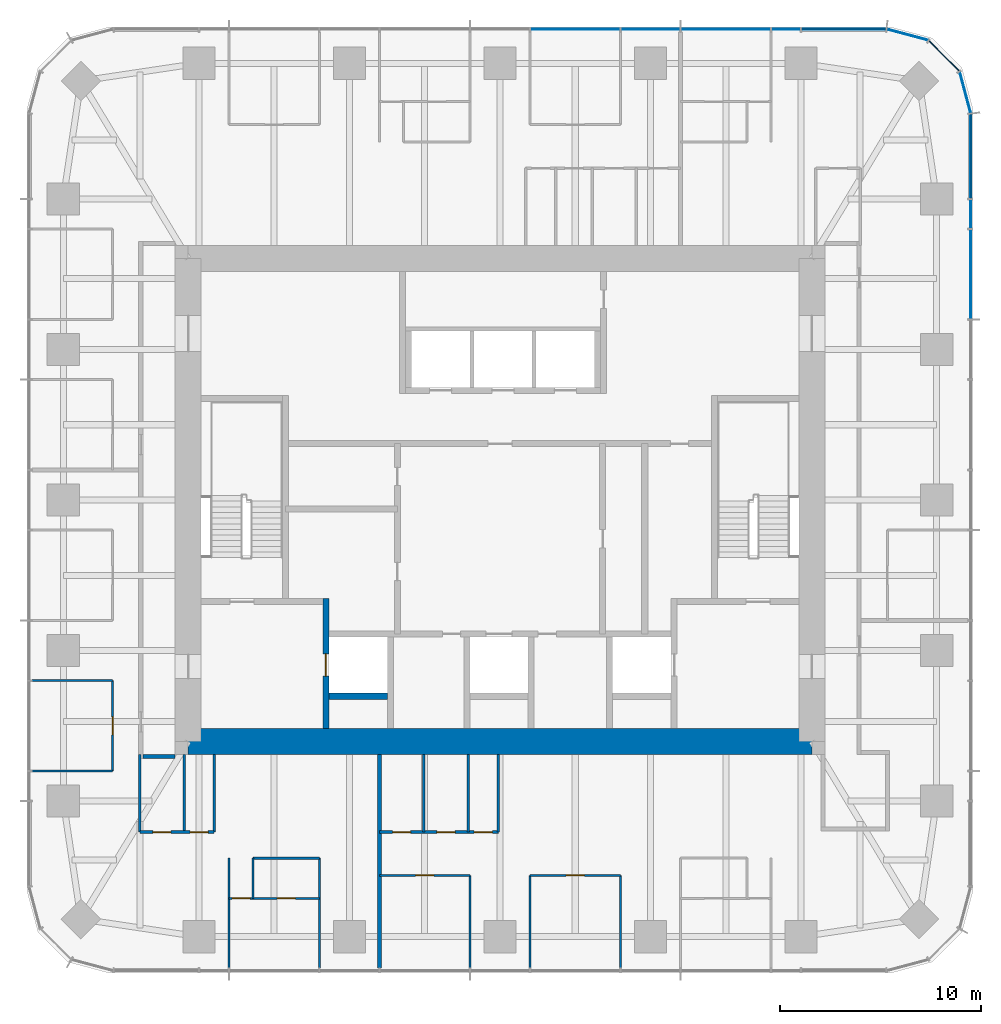
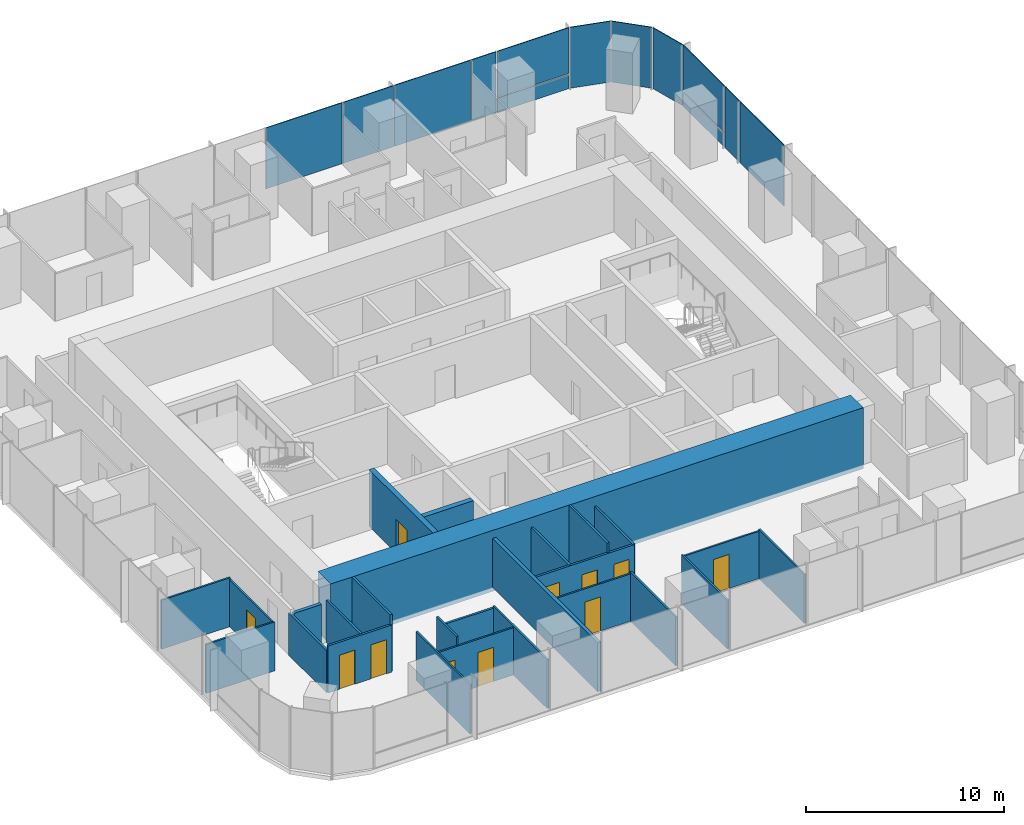
# One storey, part 8 of 12: 26 walls, 13 plates, 11 doors, 11 openings, 3 elements without a shape of their own.
"""IFC4 building model written with IfcOpenShell, lengths in metres."""

from ifc_helpers import new_model, si_unit, direction, frame, frame_2d, origin, origin_2d, place, context, subcontext, project, spatial, rectangle, extrude, material, layer, layer_set, type_object, element, fill, aggregate, save


model = new_model("IFC4")

# Units and contexts
model_context = context("Model", 3, precision=1e-05, world=origin(), true_north=direction((0.0, 1.0)))
body_context = subcontext(model_context, "Body", "Model", "MODEL_VIEW")
ifc_project = project(units=[si_unit("LENGTHUNIT", "METRE"), si_unit("AREAUNIT", "SQUARE_METRE"), si_unit("VOLUMEUNIT", "CUBIC_METRE"), si_unit("PLANEANGLEUNIT", "RADIAN"), si_unit("MASSUNIT", "GRAM", prefix="KILO")], contexts=[model_context])

# Site, building, storey
site_placement = place(None, origin())
site = spatial("IfcSite", under=ifc_project, at=site_placement, CompositionType="ELEMENT")
building_placement = place(site_placement, origin())
building = spatial("IfcBuilding", under=site, at=building_placement, Name="Khuree Lantern Residences", CompositionType="ELEMENT")
storey_placement = place(building_placement, frame((0.0, 0.0, 315.75)))
storey = spatial("IfcBuildingStorey", under=building, at=storey_placement, Name="L79", CompositionType="ELEMENT", Elevation=315.75)

# Curtain wall, plates
ifc_material_1 = material(Name="Bronze anodised aluminium", Category="aluminium")
curtain_wall_type_1 = type_object("IfcCurtainWallType", Name="CW-T2 TOWER CORNER CURTAIN WALL", PredefinedType="USERDEFINED", material=ifc_material_1)
curtain_wall_1_placement = place(storey_placement, origin())
curtain_wall_1 = element("IfcCurtainWall", 1, at=curtain_wall_1_placement, inside=storey, type_object=curtain_wall_type_1, Name="L79 NORTH-EAST CORNER CURTAIN WALL", ObjectType="Faceted corner curtain wall", PredefinedType="USERDEFINED")
ifc_material_2 = material(Name="Bronze tinted triple glazing", Category="glass")
ifc_layer_1 = layer(ifc_material_2, 0.048095703125)
ifc_layer_set_1 = layer_set([ifc_layer_1], Name="FACET PANEL P4")
plate_type_1 = type_object("IfcPlateType", Name="FACET PANEL P4", PredefinedType="CURTAIN_PANEL", material=ifc_layer_set_1)
plate_1_placement = place(storey_placement, frame((23.119140625, 20.248046875, 0.0), z_axis=(0.0, 0.0, 1.0), x_axis=(-0.2588189146, 0.965925861257, 0.0)))
plate_1 = element("IfcPlate", 2, at=plate_1_placement, type_object=plate_type_1, Name="L79 NORTH-EAST CORNER PANEL 15.1", PredefinedType="CURTAIN_PANEL", context=body_context, shape_type="SweptSolid", body=[
    extrude(rectangle(XDim=2.09814453125, YDim=0.048095703125, at=origin_2d()), origin(), (0.0, 0.0, 1.0), 3.75),
])
plate_2_placement = place(storey_placement, frame((22.068603515625, 22.068603515625, 0.0), z_axis=(0.0, 0.0, 1.0), x_axis=(-0.707106781187, 0.707106781187, 0.0)))
plate_2 = element("IfcPlate", 3, at=plate_2_placement, type_object=plate_type_1, Name="L79 NORTH-EAST CORNER PANEL 16.1", PredefinedType="CURTAIN_PANEL", context=body_context, shape_type="SweptSolid", body=[
    extrude(rectangle(XDim=2.093994140625, YDim=0.048095703125, at=origin_2d()), origin(), (0.0, 0.0, 1.0), 3.75),
])
plate_3_placement = place(storey_placement, frame((20.248046875, 23.119140625, 0.0), z_axis=(0.0, 0.0, 1.0), x_axis=(-0.965925861257, 0.2588189146, 0.0)))
plate_3 = element("IfcPlate", 4, at=plate_3_placement, type_object=plate_type_1, Name="L79 NORTH-EAST CORNER PANEL 17.1", PredefinedType="CURTAIN_PANEL", context=body_context, shape_type="SweptSolid", body=[
    extrude(rectangle(XDim=2.09814453125, YDim=0.048095703125, at=origin_2d()), origin(), (0.0, 0.0, 1.0), 3.75),
])
aggregate(curtain_wall_1, [plate_1, plate_2, plate_3])

# Curtain wall, plate
curtain_wall_type_2 = type_object("IfcCurtainWallType", Name="CW-T1 TOWER FACE CURTAIN WALL", PredefinedType="USERDEFINED", material=ifc_material_1)
curtain_wall_2_placement = place(storey_placement, origin())
curtain_wall_2 = element("IfcCurtainWall", 5, at=curtain_wall_2_placement, inside=storey, type_object=curtain_wall_type_2, Name="L79 EAST FACE CURTAIN WALL", ObjectType="Stick-built curtain wall", PredefinedType="USERDEFINED")
ifc_material_3 = material(Name="Bronze tinted triple glazing with a ceramic-fritted spandrel band", Category="glass")
ifc_layer_2 = layer(ifc_material_3, 0.048095703125)
ifc_layer_set_2 = layer_set([ifc_layer_2], Name="FIXED LIGHT PANEL P11")
plate_type_2 = type_object("IfcPlateType", Name="FIXED LIGHT PANEL P11", PredefinedType="CURTAIN_PANEL", material=ifc_layer_set_2)
plate_4_placement = place(storey_placement, frame((23.39990234375, 11.219970703125, 0.0), z_axis=(0.0, 0.0, 1.0), x_axis=(0.0, 1.0, 0.0)))
plate_4 = element("IfcPlate", 6, at=plate_4_placement, type_object=plate_type_2, Name="L79 EAST FACE PANEL 12.1", PredefinedType="CURTAIN_PANEL", context=body_context, shape_type="SweptSolid", body=[
    extrude(rectangle(XDim=4.423095703125, YDim=0.048095703125, at=origin_2d()), origin(), (0.0, 0.0, 1.0), 3.75),
])

# Curtain wall, plates
curtain_wall_3_placement = place(storey_placement, origin())
curtain_wall_3 = element("IfcCurtainWall", 7, at=curtain_wall_3_placement, inside=storey, type_object=curtain_wall_type_2, Name="L79 NORTH FACE CURTAIN WALL", ObjectType="Stick-built curtain wall", PredefinedType="USERDEFINED")
plate_5_placement = place(storey_placement, frame((11.219970703125, 23.39990234375, 0.0), z_axis=(0.0, 0.0, 1.0), x_axis=(-1.0, 0.0, 0.0)))
plate_5 = element("IfcPlate", 8, at=plate_5_placement, type_object=plate_type_2, Name="L79 NORTH FACE PANEL 20.1", PredefinedType="CURTAIN_PANEL", context=body_context, shape_type="SweptSolid", body=[
    extrude(rectangle(XDim=4.423095703125, YDim=0.048095703125, at=origin_2d()), origin(), (0.0, 0.0, 1.0), 3.75),
])
plate_6_placement = place(storey_placement, frame((3.739990234375, 23.39990234375, 0.0), z_axis=(0.0, 0.0, 1.0), x_axis=(-1.0, 0.0, 0.0)))
plate_6 = element("IfcPlate", 9, at=plate_6_placement, type_object=plate_type_2, Name="L79 NORTH FACE PANEL 22.1", PredefinedType="CURTAIN_PANEL", context=body_context, shape_type="SweptSolid", body=[
    extrude(rectangle(XDim=4.423095703125, YDim=0.048095703125, at=origin_2d()), origin(), (0.0, 0.0, 1.0), 3.75),
])
ifc_material_4 = material(Name="Bronze tinted triple glazing, two aluminium-framed sashes in one frame", Category="aluminium")
ifc_layer_3 = layer(ifc_material_4, 0.048095703125)
ifc_layer_set_3 = layer_set([ifc_layer_3], Name="SASH PAIR PANEL P12")
plate_type_3 = type_object("IfcPlateType", Name="SASH PAIR PANEL P12", PredefinedType="CURTAIN_PANEL", material=ifc_layer_set_3)
plate_7_placement = place(storey_placement, frame((7.47998046875, 23.39990234375, 0.0), z_axis=(0.0, 0.0, 1.0), x_axis=(-1.0, 0.0, 0.0)))
plate_7 = element("IfcPlate", 10, at=plate_7_placement, type_object=plate_type_3, Name="L79 NORTH FACE PANEL 21.1", PredefinedType="CURTAIN_PANEL", context=body_context, shape_type="SweptSolid", body=[
    extrude(rectangle(XDim=2.927001953125, YDim=0.048095703125, at=origin_2d()), origin(), (0.0, 0.0, 1.0), 3.75),
])

# Plate
ifc_material_5 = material(Name="Bronze tinted triple glazing, aluminium-framed sash", Category="aluminium")
ifc_layer_4 = layer(ifc_material_5, 0.048095703125)
ifc_layer_set_4 = layer_set([ifc_layer_4], Name="SASH PANEL P3")
plate_type_4 = type_object("IfcPlateType", Name="SASH PANEL P3", PredefinedType="CURTAIN_PANEL", material=ifc_layer_set_4)
plate_8_placement = place(storey_placement, frame((23.39990234375, 14.2119140625, 0.0), z_axis=(0.0, 0.0, 1.0), x_axis=(0.0, 1.0, 0.0)))
plate_8 = element("IfcPlate", 11, at=plate_8_placement, type_object=plate_type_4, Name="L79 EAST FACE PANEL 13.1", PredefinedType="CURTAIN_PANEL", context=body_context, shape_type="SweptSolid", body=[
    extrude(rectangle(XDim=1.430908203125, YDim=0.048095703125, at=origin_2d()), origin(), (0.0, 0.0, 1.0), 3.75),
])

plate_9_placement = place(storey_placement, frame((14.2119140625, 23.39990234375, 0.0), z_axis=(0.0, 0.0, 1.0), x_axis=(-1.0, 0.0, 0.0)))
plate_9 = element("IfcPlate", 12, at=plate_9_placement, type_object=plate_type_4, Name="L79 NORTH FACE PANEL 19.1", PredefinedType="CURTAIN_PANEL", context=body_context, shape_type="SweptSolid", body=[
    extrude(rectangle(XDim=1.430908203125, YDim=0.048095703125, at=origin_2d()), origin(), (0.0, 0.0, 1.0), 3.75),
])

ifc_material_6 = material(Name="Bronze anodised aluminium insulated spandrel", Category="aluminium")
ifc_layer_5 = layer(ifc_material_6, 0.06005859375)
ifc_layer_set_5 = layer_set([ifc_layer_5], Name="SPANDREL PANEL P2")
plate_type_5 = type_object("IfcPlateType", Name="SPANDREL PANEL P2", PredefinedType="CURTAIN_PANEL", material=ifc_layer_set_5)
plate_10_placement = place(storey_placement, frame((23.39990234375, 17.077880859375, 0.0), z_axis=(0.0, 0.0, 1.0), x_axis=(0.0, 1.0, 0.0)))
plate_10 = element("IfcPlate", 13, at=plate_10_placement, type_object=plate_type_5, Name="L79 EAST FACE PANEL 14.1", PredefinedType="CURTAIN_PANEL", context=body_context, shape_type="SweptSolid", body=[
    extrude(rectangle(XDim=4.170654296875, YDim=0.06005859375, at=origin_2d()), origin(), (0.0, 0.0, 1.0), 0.867431640625),
])

plate_11_placement = place(storey_placement, frame((17.077880859375, 23.39990234375, 0.0), z_axis=(0.0, 0.0, 1.0), x_axis=(-1.0, 0.0, 0.0)))
plate_11 = element("IfcPlate", 14, at=plate_11_placement, type_object=plate_type_5, Name="L79 NORTH FACE PANEL 18.1", PredefinedType="CURTAIN_PANEL", context=body_context, shape_type="SweptSolid", body=[
    extrude(rectangle(XDim=4.170654296875, YDim=0.06005859375, at=origin_2d()), origin(), (0.0, 0.0, 1.0), 0.867431640625),
])

ifc_layer_6 = layer(ifc_material_2, 0.048095703125)
ifc_layer_set_6 = layer_set([ifc_layer_6], Name="VISION PANEL P1")
plate_type_6 = type_object("IfcPlateType", Name="VISION PANEL P1", PredefinedType="CURTAIN_PANEL", material=ifc_layer_set_6)
plate_12_placement = place(storey_placement, frame((23.39990234375, 17.078369140625, 0.9326171875), z_axis=(0.0, 0.0, 1.0), x_axis=(0.0, 1.0, 0.0)))
plate_12 = element("IfcPlate", 15, at=plate_12_placement, type_object=plate_type_6, Name="L79 EAST FACE PANEL 14.2", PredefinedType="CURTAIN_PANEL", context=body_context, shape_type="SweptSolid", body=[
    extrude(rectangle(XDim=4.171630859375, YDim=0.048095703125, at=origin_2d()), origin(), (0.0, 0.0, 1.0), 2.8173828125),
])

aggregate(curtain_wall_2, [plate_4, plate_8, plate_10, plate_12])

plate_13_placement = place(storey_placement, frame((17.078369140625, 23.39990234375, 0.9326171875), z_axis=(0.0, 0.0, 1.0), x_axis=(-1.0, 0.0, 0.0)))
plate_13 = element("IfcPlate", 16, at=plate_13_placement, type_object=plate_type_6, Name="L79 NORTH FACE PANEL 18.2", PredefinedType="CURTAIN_PANEL", context=body_context, shape_type="SweptSolid", body=[
    extrude(rectangle(XDim=4.171630859375, YDim=0.048095703125, at=origin_2d()), origin(), (0.0, 0.0, 1.0), 2.8173828125),
])

aggregate(curtain_wall_3, [plate_11, plate_13, plate_9, plate_5, plate_7, plate_6])

# Wall
ifc_material_7 = material(Name="Moisture-resistant gypsum board on steel studs", Category="steel")
ifc_layer_7 = layer(ifc_material_7, 0.125)
ifc_layer_set_7 = layer_set([ifc_layer_7], Name="BATHROOM WALL BTW125")
wall_type_1 = type_object("IfcWallType", Name="BATHROOM WALL BTW125", PredefinedType="PARTITIONING", material=ifc_layer_set_7)
wall_1_placement = place(storey_placement, frame((-12.263916015625, -17.79638671875, 0.0), z_axis=(0.0, 0.0, 1.0), x_axis=(1.0, 0.0, 0.0)))
element("IfcWall", 17, at=wall_1_placement, inside=storey, type_object=wall_type_1, Name="L79 BATHROOM WALL 03", PredefinedType="PARTITIONING", context=body_context, shape_type="SweptSolid", body=[
    extrude(rectangle(XDim=3.287841796875, YDim=0.125, at=frame_2d((1.64404296875, 0.0))), origin(), (0.0, 0.0, 1.0), 2.909912109375),
])

# Wall, openings, doors
wall_2_placement = place(storey_placement, frame((-17.89990234375, -16.496337890625, 0.0), z_axis=(0.0, 0.0, 1.0), x_axis=(1.0, 0.0, 0.0)))
wall_2 = element("IfcWall", 18, at=wall_2_placement, inside=storey, type_object=wall_type_1, Name="L79 BATHROOM WALL 03", PredefinedType="PARTITIONING", context=body_context, shape_type="SweptSolid", body=[
    extrude(rectangle(XDim=3.699951171875, YDim=0.125, at=frame_2d((1.85009765625, 0.0))), origin(), (0.0, 0.0, 1.0), 2.89990234375),
])
opening_1_placement = place(wall_2_placement, frame((0.64990234375, 0.0, 0.0)))
opening_1 = element("IfcOpeningElement", 19, at=opening_1_placement, cuts=wall_2, Name="Opening 79-041", PredefinedType="OPENING", context=body_context, shape_type="SweptSolid", body=[
    extrude(rectangle(XDim=0.89990234375, YDim=2.10009765625, at=frame_2d((0.449951171875, 1.050048828125))), frame((0.0, 0.072509765625, 0.0), z_axis=(0.0, -1.0, 0.0), x_axis=(1.0, 0.0, 0.0)), (0.0, 0.0, 1.0), 0.14501953125),
])
opening_2_placement = place(wall_2_placement, frame((2.5, 0.0, 0.0)))
opening_2 = element("IfcOpeningElement", 20, at=opening_2_placement, cuts=wall_2, Name="Opening 79-042", PredefinedType="OPENING", context=body_context, shape_type="SweptSolid", body=[
    extrude(rectangle(XDim=0.89990234375, YDim=2.10009765625, at=frame_2d((0.449951171875, 1.050048828125))), frame((0.0, 0.072509765625, 0.0), z_axis=(0.0, -1.0, 0.0), x_axis=(1.0, 0.0, 0.0)), (0.0, 0.0, 1.0), 0.14501953125),
])
ifc_material_8 = material(Name="Timber door leaf in hardwood frame", Category="wood")
door_type_1 = type_object("IfcDoorType", Name="BATHROOM DOOR 900X2100", OperationType="SINGLE_SWING_LEFT", PredefinedType="DOOR", material=ifc_material_8)
door_1_placement = place(opening_1_placement, origin())
door_1 = element("IfcDoor", 21, at=door_1_placement, inside=storey, type_object=door_type_1, Name="Bathroom door 79-041", OperationType="SINGLE_SWING_LEFT", OverallHeight=2.10009765625, OverallWidth=0.89990234375, PredefinedType="DOOR", context=body_context, shape_type="SweptSolid", body=[
    extrude(rectangle(XDim=0.89990234375, YDim=2.10009765625, at=frame_2d((0.449951171875, 1.050048828125))), frame((0.0, 0.02490234375, 0.0), z_axis=(0.0, -1.0, 0.0), x_axis=(1.0, 0.0, 0.0)), (0.0, 0.0, 1.0), 0.050048828125),
])
fill(opening_1, door_1)
door_type_2 = type_object("IfcDoorType", Name="WC DOOR 900X2100", OperationType="SINGLE_SWING_LEFT", PredefinedType="DOOR", material=ifc_material_8)
door_2_placement = place(opening_2_placement, origin())
door_2 = element("IfcDoor", 22, at=door_2_placement, inside=storey, type_object=door_type_2, Name="WC door 79-042", OperationType="SINGLE_SWING_LEFT", OverallHeight=2.10009765625, OverallWidth=0.89990234375, PredefinedType="DOOR", context=body_context, shape_type="SweptSolid", body=[
    extrude(rectangle(XDim=0.89990234375, YDim=2.10009765625, at=frame_2d((0.449951171875, 1.050048828125))), frame((0.0, 0.02490234375, 0.0), z_axis=(0.0, -1.0, 0.0), x_axis=(1.0, 0.0, 0.0)), (0.0, 0.0, 1.0), 0.050048828125),
])
fill(opening_2, door_2)

# Walls
for number, where, z_axis, x_axis, name in (
    (23, (-17.89990234375, -12.64990234375, 0.0), (0.0, 0.0, 1.0), (0.0, -1.0, 0.0), "L79 BATHROOM WALL 03"),
    (24, (-15.699951171875, -12.64990234375, 0.0), (0.0, 0.0, 1.0), (0.0, -1.0, 0.0), "L79 BATHROOM WALL 03"),
):
    element("IfcWall", number, at=place(storey_placement, frame(where, z_axis=z_axis, x_axis=x_axis)), inside=storey, type_object=wall_type_1, Name=name, PredefinedType="PARTITIONING", context=body_context, shape_type="SweptSolid", body=[
        extrude(rectangle(XDim=3.846435546875, YDim=0.125, at=frame_2d((1.92333984375, 0.0))), origin(), (0.0, 0.0, 1.0), 2.60009765625),
    ])
wall_3_placement = place(storey_placement, frame((-14.199951171875, -12.64990234375, 0.0), z_axis=(0.0, 0.0, 1.0), x_axis=(0.0, -1.0, 0.0)))
element("IfcWall", 25, at=wall_3_placement, inside=storey, type_object=wall_type_1, Name="L79 BATHROOM WALL 03", PredefinedType="PARTITIONING", context=body_context, shape_type="SweptSolid", body=[
    extrude(rectangle(XDim=3.846435546875, YDim=0.125, at=frame_2d((1.92333984375, 0.0))), origin(), (0.0, 0.0, 1.0), 3.5),
])

# Wall, openings, doors
wall_4_placement = place(storey_placement, frame((-5.98388671875, -16.496337890625, 0.0), z_axis=(0.0, 0.0, 1.0), x_axis=(1.0, 0.0, 0.0)))
wall_4 = element("IfcWall", 26, at=wall_4_placement, inside=storey, type_object=wall_type_1, Name="L79 BATHROOM WALL 04", PredefinedType="PARTITIONING", context=body_context, shape_type="SweptSolid", body=[
    extrude(rectangle(XDim=5.89990234375, YDim=0.125, at=frame_2d((2.949951171875, 0.0))), origin(), (0.0, 0.0, 1.0), 2.89990234375),
])
opening_3_placement = place(wall_4_placement, frame((0.64990234375, 0.0, 0.0)))
opening_3 = element("IfcOpeningElement", 27, at=opening_3_placement, cuts=wall_4, Name="Opening 79-048", PredefinedType="OPENING", context=body_context, shape_type="SweptSolid", body=[
    extrude(rectangle(XDim=0.89990234375, YDim=2.10009765625, at=frame_2d((0.449951171875, 1.050048828125))), frame((0.0, 0.072509765625, 0.0), z_axis=(0.0, -1.0, 0.0), x_axis=(1.0, 0.0, 0.0)), (0.0, 0.0, 1.0), 0.14501953125),
])
opening_4_placement = place(wall_4_placement, frame((2.85009765625, 0.0, 0.0)))
opening_4 = element("IfcOpeningElement", 28, at=opening_4_placement, cuts=wall_4, Name="Opening 79-049", PredefinedType="OPENING", context=body_context, shape_type="SweptSolid", body=[
    extrude(rectangle(XDim=0.89990234375, YDim=2.10009765625, at=frame_2d((0.449951171875, 1.050048828125))), frame((0.0, 0.072509765625, 0.0), z_axis=(0.0, -1.0, 0.0), x_axis=(1.0, 0.0, 0.0)), (0.0, 0.0, 1.0), 0.14501953125),
])
opening_5_placement = place(wall_4_placement, frame((4.699951171875, 0.0, 0.0)))
opening_5 = element("IfcOpeningElement", 29, at=opening_5_placement, cuts=wall_4, Name="Opening 79-050", PredefinedType="OPENING", context=body_context, shape_type="SweptSolid", body=[
    extrude(rectangle(XDim=0.89990234375, YDim=2.10009765625, at=frame_2d((0.449951171875, 1.050048828125))), frame((0.0, 0.072509765625, 0.0), z_axis=(0.0, -1.0, 0.0), x_axis=(1.0, 0.0, 0.0)), (0.0, 0.0, 1.0), 0.14501953125),
])
door_3_placement = place(opening_3_placement, origin())
door_3 = element("IfcDoor", 30, at=door_3_placement, inside=storey, type_object=door_type_1, Name="Bathroom door 79-048", OperationType="SINGLE_SWING_LEFT", OverallHeight=2.10009765625, OverallWidth=0.89990234375, PredefinedType="DOOR", context=body_context, shape_type="SweptSolid", body=[
    extrude(rectangle(XDim=0.89990234375, YDim=2.10009765625, at=frame_2d((0.449951171875, 1.050048828125))), frame((0.0, 0.02490234375, 0.0), z_axis=(0.0, -1.0, 0.0), x_axis=(1.0, 0.0, 0.0)), (0.0, 0.0, 1.0), 0.050048828125),
])
fill(opening_3, door_3)
door_4_placement = place(opening_4_placement, origin())
door_4 = element("IfcDoor", 31, at=door_4_placement, inside=storey, type_object=door_type_1, Name="Bathroom door 79-049", OperationType="SINGLE_SWING_LEFT", OverallHeight=2.10009765625, OverallWidth=0.89990234375, PredefinedType="DOOR", context=body_context, shape_type="SweptSolid", body=[
    extrude(rectangle(XDim=0.89990234375, YDim=2.10009765625, at=frame_2d((0.449951171875, 1.050048828125))), frame((0.0, 0.02490234375, 0.0), z_axis=(0.0, -1.0, 0.0), x_axis=(1.0, 0.0, 0.0)), (0.0, 0.0, 1.0), 0.050048828125),
])
fill(opening_4, door_4)
door_5_placement = place(opening_5_placement, origin())
door_5 = element("IfcDoor", 32, at=door_5_placement, inside=storey, type_object=door_type_2, Name="WC door 79-050", OperationType="SINGLE_SWING_LEFT", OverallHeight=2.10009765625, OverallWidth=0.89990234375, PredefinedType="DOOR", context=body_context, shape_type="SweptSolid", body=[
    extrude(rectangle(XDim=0.89990234375, YDim=2.10009765625, at=frame_2d((0.449951171875, 1.050048828125))), frame((0.0, 0.02490234375, 0.0), z_axis=(0.0, -1.0, 0.0), x_axis=(1.0, 0.0, 0.0)), (0.0, 0.0, 1.0), 0.050048828125),
])
fill(opening_5, door_5)

# Walls
wall_5_placement = place(storey_placement, frame((-3.783935546875, -12.64990234375, 0.0), z_axis=(0.0, 0.0, 1.0), x_axis=(0.0, -1.0, 0.0)))
element("IfcWall", 33, at=wall_5_placement, inside=storey, type_object=wall_type_1, Name="L79 BATHROOM WALL 04", PredefinedType="PARTITIONING", context=body_context, shape_type="SweptSolid", body=[
    extrude(rectangle(XDim=3.846435546875, YDim=0.125, at=frame_2d((1.92333984375, 0.0))), origin(), (0.0, 0.0, 1.0), 2.909912109375),
])
wall_6_placement = place(storey_placement, frame((-1.583984375, -12.64990234375, 0.0), z_axis=(0.0, 0.0, 1.0), x_axis=(0.0, -1.0, 0.0)))
element("IfcWall", 34, at=wall_6_placement, inside=storey, type_object=wall_type_1, Name="L79 BATHROOM WALL 04", PredefinedType="PARTITIONING", context=body_context, shape_type="SweptSolid", body=[
    extrude(rectangle(XDim=3.846435546875, YDim=0.125, at=frame_2d((1.92333984375, 0.0))), origin(), (0.0, 0.0, 1.0), 3.5),
])
wall_7_placement = place(storey_placement, frame((-0.083984375, -12.64990234375, 0.0), z_axis=(0.0, 0.0, 1.0), x_axis=(0.0, -1.0, 0.0)))
element("IfcWall", 35, at=wall_7_placement, inside=storey, type_object=wall_type_1, Name="L79 BATHROOM WALL 04", PredefinedType="PARTITIONING", context=body_context, shape_type="SweptSolid", body=[
    extrude(rectangle(XDim=3.846435546875, YDim=0.125, at=frame_2d((1.92333984375, 0.0))), origin(), (0.0, 0.0, 1.0), 2.89990234375),
])

# Wall, opening, door
ifc_material_9 = material(Name="Dense concrete blockwork", Category="masonry")
ifc_layer_8 = layer(ifc_material_9, 0.300048828125)
ifc_layer_set_8 = layer_set([ifc_layer_8], Name="CORE PARTITION WALL CPW300 EI 120")
wall_type_2 = type_object("IfcWallType", Name="CORE PARTITION WALL CPW300 EI 120", PredefinedType="PARTITIONING", material=ifc_layer_set_8)
wall_8_placement = place(storey_placement, frame((-8.64990234375, -11.35009765625, 0.0), z_axis=(0.0, 0.0, 1.0), x_axis=(0.0, 1.0, 0.0)))
wall_8 = element("IfcWall", 36, at=wall_8_placement, inside=storey, type_object=wall_type_2, Name="L79 CORE WALL FL1W", PredefinedType="PARTITIONING", context=body_context, shape_type="SweptSolid", body=[
    extrude(rectangle(XDim=6.4501953125, YDim=0.300048828125, at=frame_2d((3.22509765625, 0.0))), origin(), (0.0, 0.0, 1.0), 3.5),
])
opening_6_placement = place(wall_8_placement, frame((2.60009765625, 0.0, 0.0)))
opening_6 = element("IfcOpeningElement", 37, at=opening_6_placement, cuts=wall_8, Name="Opening 79-007", PredefinedType="OPENING", context=body_context, shape_type="SweptSolid", body=[
    extrude(rectangle(XDim=1.10009765625, YDim=2.10009765625, at=frame_2d((0.550048828125, 1.050048828125))), frame((0.0, 0.16015625, 0.0), z_axis=(0.0, -1.0, 0.0), x_axis=(1.0, 0.0, 0.0)), (0.0, 0.0, 1.0), 0.320068359375),
])
ifc_material_10 = material(Name="Stainless steel lift landing door", Category="steel")
door_type_3 = type_object("IfcDoorType", Name="LIFT LANDING DOOR 1100X2100 E 120", OperationType="DOUBLE_DOOR_SLIDING", PredefinedType="DOOR", material=ifc_material_10)
door_6_placement = place(opening_6_placement, origin())
door_6 = element("IfcDoor", 38, at=door_6_placement, inside=storey, type_object=door_type_3, Name="Landing door FL1 79-007", OperationType="DOUBLE_DOOR_SLIDING", OverallHeight=2.10009765625, OverallWidth=1.10009765625, PredefinedType="DOOR", context=body_context, shape_type="SweptSolid", body=[
    extrude(rectangle(XDim=1.10009765625, YDim=2.10009765625, at=frame_2d((0.550048828125, 1.050048828125))), frame((0.0, 0.02490234375, 0.0), z_axis=(0.0, -1.0, 0.0), x_axis=(1.0, 0.0, 0.0)), (0.0, 0.0, 1.0), 0.050048828125),
])
fill(opening_6, door_6)

# Walls
wall_9_placement = place(storey_placement, frame((-8.5, -9.75, 0.0), z_axis=(0.0, 0.0, 1.0), x_axis=(1.0, 0.0, 0.0)))
element("IfcWall", 39, at=wall_9_placement, inside=storey, type_object=wall_type_2, Name="L79 CORE WALL FL1S", PredefinedType="PARTITIONING", context=body_context, shape_type="SweptSolid", body=[
    extrude(rectangle(XDim=2.89990234375, YDim=0.300048828125, at=frame_2d((1.449951171875, 0.0))), origin(), (0.0, 0.0, 1.0), 3.5),
])
ifc_material_11 = material(Name="Gypsum board on steel studs", Category="steel")
ifc_layer_9 = layer(ifc_material_11, 0.199951171875)
ifc_layer_set_9 = layer_set([ifc_layer_9], Name="CORRIDOR WALL CRW200 EI 60")
wall_type_3 = type_object("IfcWallType", Name="CORRIDOR WALL CRW200 EI 60", PredefinedType="PARTITIONING", material=ifc_layer_set_9)
wall_10_placement = place(storey_placement, frame((-16.14990234375, -12.75, 0.0), z_axis=(0.0, 0.0, 1.0), x_axis=(-1.0, 0.0, 0.0)))
element("IfcWall", 40, at=wall_10_placement, inside=storey, type_object=wall_type_3, Name="L79 WEST CORRIDOR SOUTH END WALL", PredefinedType="PARTITIONING", context=body_context, shape_type="SweptSolid", body=[
    extrude(rectangle(XDim=1.60009765625, YDim=0.199951171875, at=frame_2d((0.800048828125, 0.0))), origin(), (0.0, 0.0, 1.0), 2.60009765625),
])
ifc_material_12 = material(Name="Concrete C50/60", Category="concrete")
ifc_layer_10 = layer(ifc_material_12, 1.300048828125)
ifc_layer_set_10 = layer_set([ifc_layer_10], Name="CW1300-C50 CORE WALL C50 1300")
wall_type_4 = type_object("IfcWallType", Name="CW1300-C50 CORE WALL C50 1300", PredefinedType="SHEAR", material=ifc_layer_set_10)
wall_11_placement = place(storey_placement, frame((-15.5, -12.0, -0.25), z_axis=(0.0, 0.0, 1.0), x_axis=(1.0, 0.0, 0.0)))
element("IfcWall", 41, at=wall_11_placement, inside=storey, type_object=wall_type_4, Name="Core wall S", PredefinedType="SHEAR", context=body_context, shape_type="SweptSolid", body=[
    extrude(rectangle(XDim=31.0, YDim=1.300048828125, at=frame_2d((15.5, 0.0))), origin(), (0.0, 0.0, 1.0), 3.75),
])
ifc_layer_11 = layer(ifc_material_11, 0.199951171875)
ifc_layer_set_11 = layer_set([ifc_layer_11], Name="DEMISING WALL DMW200 EI 90")
wall_type_5 = type_object("IfcWallType", Name="DEMISING WALL DMW200 EI 90", PredefinedType="PARTITIONING", material=ifc_layer_set_11)
wall_12_placement = place(storey_placement, frame((-5.98388671875, -12.64990234375, 0.0), z_axis=(0.0, 0.0, 1.0), x_axis=(0.0, -1.0, 0.0)))
element("IfcWall", 42, at=wall_12_placement, inside=storey, type_object=wall_type_5, Name="L79 DEMISING WALL 04", PredefinedType="PARTITIONING", context=body_context, shape_type="SweptSolid", body=[
    extrude(rectangle(XDim=10.60009765625, YDim=0.199951171875, at=frame_2d((5.300048828125, 0.0))), origin(), (0.0, 0.0, 1.0), 3.010009765625),
])
ifc_layer_12 = layer(ifc_material_11, 0.10009765625)
ifc_layer_set_12 = layer_set([ifc_layer_12], Name="PARTITION PT100")
wall_type_6 = type_object("IfcWallType", Name="PARTITION PT100", PredefinedType="PARTITIONING", material=ifc_layer_set_12)
for number, where, z_axis, x_axis, name in (
    (43, (-19.25, -8.97607421875, 0.0), (0.0, 0.0, 1.0), (-1.0, 0.0, 0.0), "L79 PARTITION 03"),
    (44, (-19.25, -13.464111328125, 0.0), (0.0, 0.0, 1.0), (-1.0, 0.0, 0.0), "L79 PARTITION 03"),
):
    element("IfcWall", number, at=place(storey_placement, frame(where, z_axis=z_axis, x_axis=x_axis)), inside=storey, type_object=wall_type_6, Name=name, PredefinedType="PARTITIONING", context=body_context, shape_type="SweptSolid", body=[
        extrude(rectangle(XDim=4.0, YDim=0.10009765625, at=frame_2d((2.0, 0.0))), origin(), (0.0, 0.0, 1.0), 3.010009765625),
    ])
for number, where, z_axis, x_axis, name in (
    (45, (-13.464111328125, -17.79638671875, 0.0), (0.0, 0.0, 1.0), (0.0, -1.0, 0.0), "L79 PARTITION 03"),
    (46, (-8.97607421875, -17.79638671875, 0.0), (0.0, 0.0, 1.0), (0.0, -1.0, 0.0), "L79 PARTITION 03"),
):
    element("IfcWall", number, at=place(storey_placement, frame(where, z_axis=z_axis, x_axis=x_axis)), inside=storey, type_object=wall_type_6, Name=name, PredefinedType="PARTITIONING", context=body_context, shape_type="SweptSolid", body=[
        extrude(rectangle(XDim=5.45361328125, YDim=0.10009765625, at=frame_2d((2.726806640625, 0.0))), origin(), (0.0, 0.0, 1.0), 3.010009765625),
    ])
for number, where, z_axis, x_axis, name in (
    (47, (-1.49609375, -18.64990234375, 0.0), (0.0, 0.0, 1.0), (0.0, -1.0, 0.0), "L79 PARTITION 04"),
    (48, (1.49609375, -18.64990234375, 0.0), (0.0, 0.0, 1.0), (0.0, -1.0, 0.0), "L79 PARTITION 04"),
    (49, (5.98388671875, -18.64990234375, 0.0), (0.0, 0.0, 1.0), (0.0, -1.0, 0.0), "L79 PARTITION 04"),
):
    element("IfcWall", number, at=place(storey_placement, frame(where, z_axis=z_axis, x_axis=x_axis)), inside=storey, type_object=wall_type_6, Name=name, PredefinedType="PARTITIONING", context=body_context, shape_type="SweptSolid", body=[
        extrude(rectangle(XDim=4.60009765625, YDim=0.10009765625, at=frame_2d((2.300048828125, 0.0))), origin(), (0.0, 0.0, 1.0), 3.010009765625),
    ])

# Wall, opening, door
wall_13_placement = place(storey_placement, frame((-19.25, -8.97607421875, 0.0), z_axis=(0.0, 0.0, 1.0), x_axis=(0.0, -1.0, 0.0)))
wall_13 = element("IfcWall", 50, at=wall_13_placement, inside=storey, type_object=wall_type_6, Name="L79 PARTITION 03", PredefinedType="PARTITIONING", context=body_context, shape_type="SweptSolid", body=[
    extrude(rectangle(XDim=4.488037109375, YDim=0.10009765625, at=frame_2d((2.244140625, 0.0))), origin(), (0.0, 0.0, 1.0), 2.909912109375),
])
opening_7_placement = place(wall_13_placement, frame((1.7939453125, 0.0, 0.0)))
opening_7 = element("IfcOpeningElement", 51, at=opening_7_placement, cuts=wall_13, Name="Opening 79-038", PredefinedType="OPENING", context=body_context, shape_type="SweptSolid", body=[
    extrude(rectangle(XDim=0.89990234375, YDim=2.10009765625, at=frame_2d((0.449951171875, 1.050048828125))), frame((0.0, 0.06005859375, 0.0), z_axis=(0.0, -1.0, 0.0), x_axis=(1.0, 0.0, 0.0)), (0.0, 0.0, 1.0), 0.1201171875),
])
door_type_4 = type_object("IfcDoorType", Name="BEDROOM DOOR 900X2100", OperationType="SINGLE_SWING_LEFT", PredefinedType="DOOR", material=ifc_material_8)
door_7_placement = place(opening_7_placement, origin())
door_7 = element("IfcDoor", 52, at=door_7_placement, inside=storey, type_object=door_type_4, Name="Bedroom door 79-038", OperationType="SINGLE_SWING_LEFT", OverallHeight=2.10009765625, OverallWidth=0.89990234375, PredefinedType="DOOR", context=body_context, shape_type="SweptSolid", body=[
    extrude(rectangle(XDim=0.89990234375, YDim=2.10009765625, at=frame_2d((0.449951171875, 1.050048828125))), frame((0.0, 0.02490234375, 0.0), z_axis=(0.0, -1.0, 0.0), x_axis=(1.0, 0.0, 0.0)), (0.0, 0.0, 1.0), 0.050048828125),
])
fill(opening_7, door_7)

# Wall, openings, doors
wall_14_placement = place(storey_placement, frame((-13.464111328125, -19.79638671875, 0.0), z_axis=(0.0, 0.0, 1.0), x_axis=(1.0, 0.0, 0.0)))
wall_14 = element("IfcWall", 53, at=wall_14_placement, inside=storey, type_object=wall_type_6, Name="L79 PARTITION 03", PredefinedType="PARTITIONING", context=body_context, shape_type="SweptSolid", body=[
    extrude(rectangle(XDim=4.488037109375, YDim=0.10009765625, at=frame_2d((2.244140625, 0.0))), origin(), (0.0, 0.0, 1.0), 2.909912109375),
])
opening_8_placement = place(wall_14_placement, frame((0.14990234375, 0.0, 0.0)))
opening_8 = element("IfcOpeningElement", 54, at=opening_8_placement, cuts=wall_14, Name="Opening 79-039", PredefinedType="OPENING", context=body_context, shape_type="SweptSolid", body=[
    extrude(rectangle(XDim=0.89990234375, YDim=2.10009765625, at=frame_2d((0.449951171875, 1.050048828125))), frame((0.0, 0.06005859375, 0.0), z_axis=(0.0, -1.0, 0.0), x_axis=(1.0, 0.0, 0.0)), (0.0, 0.0, 1.0), 0.1201171875),
])
opening_9_placement = place(wall_14_placement, frame((2.39404296875, 0.0, 0.0)))
opening_9 = element("IfcOpeningElement", 55, at=opening_9_placement, cuts=wall_14, Name="Opening 79-040", PredefinedType="OPENING", context=body_context, shape_type="SweptSolid", body=[
    extrude(rectangle(XDim=0.89990234375, YDim=2.10009765625, at=frame_2d((0.449951171875, 1.050048828125))), frame((0.0, 0.06005859375, 0.0), z_axis=(0.0, -1.0, 0.0), x_axis=(1.0, 0.0, 0.0)), (0.0, 0.0, 1.0), 0.1201171875),
])
door_8_placement = place(opening_9_placement, origin())
door_8 = element("IfcDoor", 56, at=door_8_placement, inside=storey, type_object=door_type_1, Name="Bathroom door 79-040", OperationType="SINGLE_SWING_LEFT", OverallHeight=2.10009765625, OverallWidth=0.89990234375, PredefinedType="DOOR", context=body_context, shape_type="SweptSolid", body=[
    extrude(rectangle(XDim=0.89990234375, YDim=2.10009765625, at=frame_2d((0.449951171875, 1.050048828125))), frame((0.0, 0.02490234375, 0.0), z_axis=(0.0, -1.0, 0.0), x_axis=(1.0, 0.0, 0.0)), (0.0, 0.0, 1.0), 0.050048828125),
])
fill(opening_9, door_8)
door_9_placement = place(opening_8_placement, origin())
door_9 = element("IfcDoor", 57, at=door_9_placement, inside=storey, type_object=door_type_4, Name="Bedroom door 79-039", OperationType="SINGLE_SWING_LEFT", OverallHeight=2.10009765625, OverallWidth=0.89990234375, PredefinedType="DOOR", context=body_context, shape_type="SweptSolid", body=[
    extrude(rectangle(XDim=0.89990234375, YDim=2.10009765625, at=frame_2d((0.449951171875, 1.050048828125))), frame((0.0, 0.02490234375, 0.0), z_axis=(0.0, -1.0, 0.0), x_axis=(1.0, 0.0, 0.0)), (0.0, 0.0, 1.0), 0.050048828125),
])
fill(opening_8, door_9)

# Wall
wall_15_placement = place(storey_placement, frame((-12.263916015625, -17.79638671875, 0.0), z_axis=(0.0, 0.0, 1.0), x_axis=(0.0, -1.0, 0.0)))
element("IfcWall", 58, at=wall_15_placement, inside=storey, type_object=wall_type_6, Name="L79 PARTITION 03", PredefinedType="PARTITIONING", context=body_context, shape_type="SweptSolid", body=[
    extrude(rectangle(XDim=2.0, YDim=0.10009765625, at=frame_2d((1.0, 0.0))), origin(), (0.0, 0.0, 1.0), 3.5),
])

# Wall, opening, door
wall_16_placement = place(storey_placement, frame((-5.98388671875, -18.64990234375, 0.0), z_axis=(0.0, 0.0, 1.0), x_axis=(1.0, 0.0, 0.0)))
wall_16 = element("IfcWall", 59, at=wall_16_placement, inside=storey, type_object=wall_type_6, Name="L79 PARTITION 04", PredefinedType="PARTITIONING", context=body_context, shape_type="SweptSolid", body=[
    extrude(rectangle(XDim=4.48779296875, YDim=0.10009765625, at=frame_2d((2.243896484375, 0.0))), origin(), (0.0, 0.0, 1.0), 2.909912109375),
])
opening_10_placement = place(wall_16_placement, frame((1.7939453125, 0.0, 0.0)))
opening_10 = element("IfcOpeningElement", 60, at=opening_10_placement, cuts=wall_16, Name="Opening 79-044", PredefinedType="OPENING", context=body_context, shape_type="SweptSolid", body=[
    extrude(rectangle(XDim=0.89990234375, YDim=2.10009765625, at=frame_2d((0.449951171875, 1.050048828125))), frame((0.0, 0.06005859375, 0.0), z_axis=(0.0, -1.0, 0.0), x_axis=(1.0, 0.0, 0.0)), (0.0, 0.0, 1.0), 0.1201171875),
])
door_10_placement = place(opening_10_placement, origin())
door_10 = element("IfcDoor", 61, at=door_10_placement, inside=storey, type_object=door_type_4, Name="Bedroom door 79-044", OperationType="SINGLE_SWING_LEFT", OverallHeight=2.10009765625, OverallWidth=0.89990234375, PredefinedType="DOOR", context=body_context, shape_type="SweptSolid", body=[
    extrude(rectangle(XDim=0.89990234375, YDim=2.10009765625, at=frame_2d((0.449951171875, 1.050048828125))), frame((0.0, 0.02490234375, 0.0), z_axis=(0.0, -1.0, 0.0), x_axis=(1.0, 0.0, 0.0)), (0.0, 0.0, 1.0), 0.050048828125),
])
fill(opening_10, door_10)

wall_17_placement = place(storey_placement, frame((1.49609375, -18.64990234375, 0.0), z_axis=(0.0, 0.0, 1.0), x_axis=(1.0, 0.0, 0.0)))
wall_17 = element("IfcWall", 62, at=wall_17_placement, inside=storey, type_object=wall_type_6, Name="L79 PARTITION 04", PredefinedType="PARTITIONING", context=body_context, shape_type="SweptSolid", body=[
    extrude(rectangle(XDim=4.48779296875, YDim=0.10009765625, at=frame_2d((2.243896484375, 0.0))), origin(), (0.0, 0.0, 1.0), 2.909912109375),
])
opening_11_placement = place(wall_17_placement, frame((1.7939453125, 0.0, 0.0)))
opening_11 = element("IfcOpeningElement", 63, at=opening_11_placement, cuts=wall_17, Name="Opening 79-045", PredefinedType="OPENING", context=body_context, shape_type="SweptSolid", body=[
    extrude(rectangle(XDim=0.89990234375, YDim=2.10009765625, at=frame_2d((0.449951171875, 1.050048828125))), frame((0.0, 0.06005859375, 0.0), z_axis=(0.0, -1.0, 0.0), x_axis=(1.0, 0.0, 0.0)), (0.0, 0.0, 1.0), 0.1201171875),
])
door_11_placement = place(opening_11_placement, origin())
door_11 = element("IfcDoor", 64, at=door_11_placement, inside=storey, type_object=door_type_4, Name="Bedroom door 79-045", OperationType="SINGLE_SWING_LEFT", OverallHeight=2.10009765625, OverallWidth=0.89990234375, PredefinedType="DOOR", context=body_context, shape_type="SweptSolid", body=[
    extrude(rectangle(XDim=0.89990234375, YDim=2.10009765625, at=frame_2d((0.449951171875, 1.050048828125))), frame((0.0, 0.02490234375, 0.0), z_axis=(0.0, -1.0, 0.0), x_axis=(1.0, 0.0, 0.0)), (0.0, 0.0, 1.0), 0.050048828125),
])
fill(opening_11, door_11)

save(model, "model.ifc")
